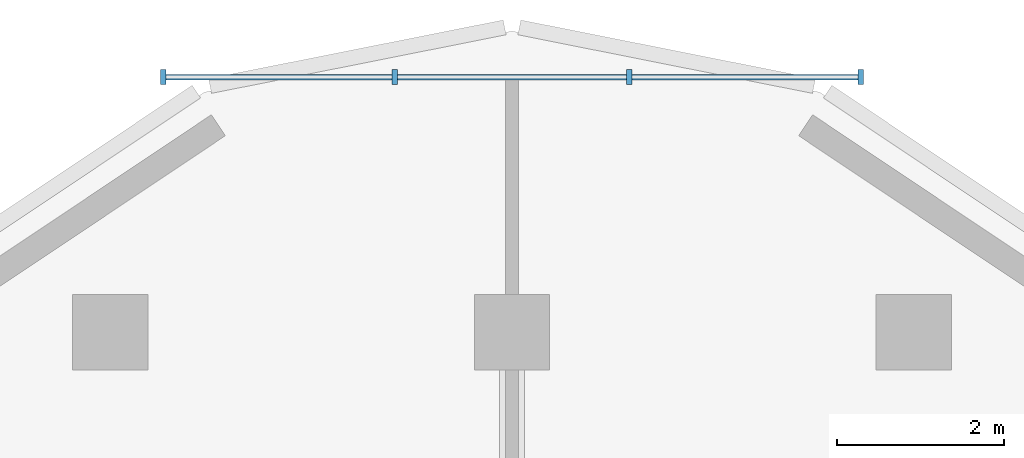
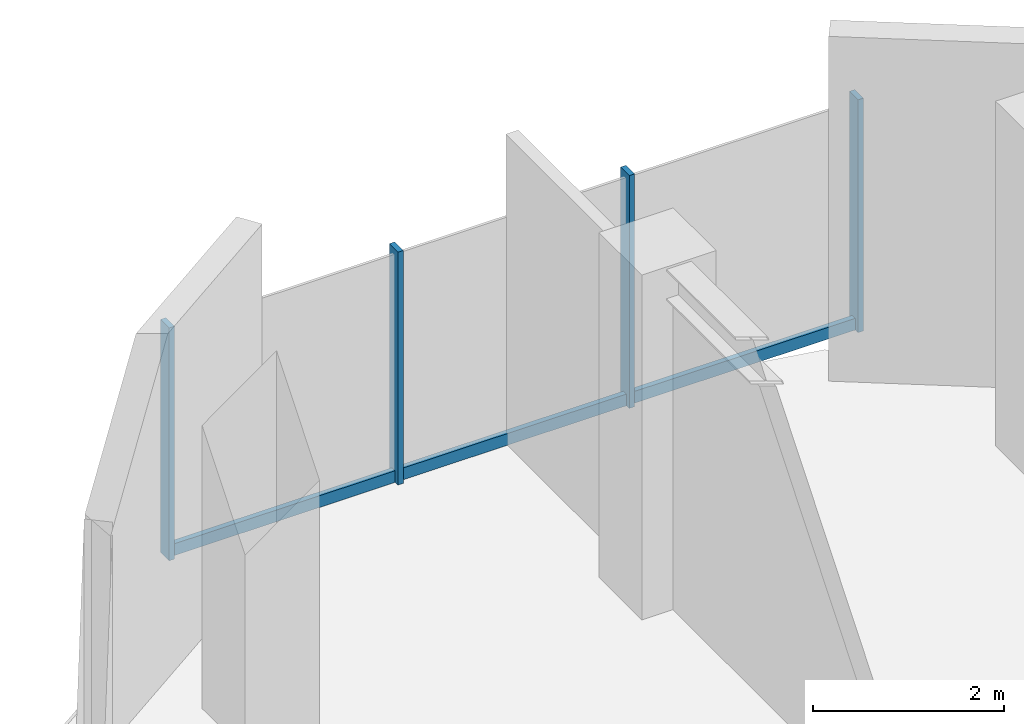
# One storey, part 4 of 11: 7 members, 1 element without a shape of its own.
"""IFC4 building model written with IfcOpenShell, lengths in metres."""

import ifcopenshell
import ifcopenshell.guid

model = None  # the IFC model being written
_history = None  # IfcOwnerHistory: only IFC2X3 demands one
_inside = {}  # id of a spatial element -> (the spatial element, [elements in it])
_under = {}  # id of a project, library or spatial element -> (it, [spatial elements below it])
_declared = {}  # id of a project -> (the project, [libraries it declares])
_typed = {}  # id of a type object -> (the type object, [elements of that type])
_made_of = {}  # id of a material, layer set ... -> (it, [elements and type objects made of it])


def new_model(schema):
    """Start an empty IFC model of exactly this schema.

    Asked for "IFC4X3", IfcOpenShell would pick the latest addendum, in which some entities
    have other attributes; the version numbers below select the first issue.
    IFC2X3 requires an IfcOwnerHistory on every rooted entity: one is made here for all.
    """
    global model, _history
    if schema == "IFC4X3":
        model = ifcopenshell.file(schema_version=(4, 3, 0, 0))
    else:
        model = ifcopenshell.file(schema=schema)
    _inside.clear()
    _under.clear()
    _declared.clear()
    _typed.clear()
    _made_of.clear()
    _history = None
    if model.schema == "IFC2X3":
        org = make("IfcOrganization", Name="unknown")
        user = make(
            "IfcPersonAndOrganization",
            ThePerson=make("IfcPerson", FamilyName="unknown"),
            TheOrganization=org,
        )
        app = make(
            "IfcApplication",
            ApplicationDeveloper=org,
            Version="unknown",
            ApplicationFullName="unknown",
            ApplicationIdentifier="unknown",
        )
        _history = make(
            "IfcOwnerHistory",
            OwningUser=user,
            OwningApplication=app,
            ChangeAction="ADDED",
            CreationDate=0,
        )
    return model


def make(cls, **values):
    """One entity of the class cls with the attributes given. An attribute that is None is left unset."""
    return model.create_entity(
        cls, **{name: value for name, value in values.items() if value is not None}
    )


def rooted(cls, **values):
    """An entity with a GlobalId (a new one), such as an element, a storey or a relation."""
    return make(cls, GlobalId=ifcopenshell.guid.new(), OwnerHistory=_history, **values)


def si_unit(unit_type, name, prefix=None):
    """IfcSIUnit, for example si_unit("LENGTHUNIT", "METRE", prefix="MILLI")."""
    return make("IfcSIUnit", UnitType=unit_type, Prefix=prefix, Name=name)


def assignment(units):
    """IfcUnitAssignment: the units of a project."""
    return None if units is None else make("IfcUnitAssignment", Units=units)


def point(xyz):
    """IfcCartesianPoint."""
    return None if xyz is None else make("IfcCartesianPoint", Coordinates=xyz)


def direction(xyz):
    """IfcDirection."""
    return None if xyz is None else make("IfcDirection", DirectionRatios=xyz)


def frame(location, z_axis=None, x_axis=None):
    """IfcAxis2Placement3D, a coordinate frame: its origin and axes. An axis left out is left unset."""
    return make(
        "IfcAxis2Placement3D",
        Location=point(location),
        Axis=direction(z_axis),
        RefDirection=direction(x_axis),
    )


def frame_2d(location, x_axis=None):
    """IfcAxis2Placement2D, a coordinate frame in the plane: its origin and x axis."""
    return make(
        "IfcAxis2Placement2D", Location=point(location), RefDirection=direction(x_axis)
    )


def origin():
    """The frame at (0, 0, 0) with its axes left unset."""
    return frame((0.0, 0.0, 0.0))


def origin_2d():
    """The frame at (0, 0) in the plane with its x axis left unset."""
    return frame_2d((0.0, 0.0))


def place(relative_to, where):
    """IfcLocalPlacement: puts the frame where relative to a parent placement (None: the world)."""
    return make(
        "IfcLocalPlacement", PlacementRelTo=relative_to, RelativePlacement=where
    )


def context(
    kind, dimensions, precision=None, world=None, true_north=None, identifier=None
):
    """IfcGeometricRepresentationContext, for example the 3D "Model" context."""
    return make(
        "IfcGeometricRepresentationContext",
        ContextIdentifier=identifier,
        ContextType=kind,
        CoordinateSpaceDimension=dimensions,
        Precision=precision,
        WorldCoordinateSystem=world,
        TrueNorth=true_north,
    )


def subcontext(parent, identifier, kind, view, scale=None):
    """IfcGeometricRepresentationSubContext, for example "Body" below "Model"."""
    return make(
        "IfcGeometricRepresentationSubContext",
        ContextIdentifier=identifier,
        ContextType=kind,
        ParentContext=parent,
        TargetScale=scale,
        TargetView=view,
    )


def project(units=None, contexts=None):
    """IfcProject with its units and contexts."""
    return rooted(
        "IfcProject",
        Name="project",
        RepresentationContexts=contexts,
        UnitsInContext=assignment(units),
    )


def spatial(cls, under=None, at=None, **own):
    """A site, building, storey or space (cls), placed at a placement, below another one or the project."""
    s = rooted(cls, ObjectPlacement=at, **own)
    if under is not None:
        _under.setdefault(under.id(), (under, []))[1].append(s)
    return s


def profile(cls, at=None, kind="AREA", **sizes):
    """A parametric profile (cls). Its sizes go by their IFC names, for example OverallWidth=200.0."""
    return make(cls, ProfileType=kind, Position=at, **sizes)


def rectangle(**sizes):
    """IfcRectangleProfileDef."""
    return profile("IfcRectangleProfileDef", **sizes)


def extrude(swept, where, along, depth):
    """IfcExtrudedAreaSolid: the profile swept, set in the frame where, extruded along a direction by depth."""
    return make(
        "IfcExtrudedAreaSolid",
        SweptArea=swept,
        Position=where,
        ExtrudedDirection=direction(along),
        Depth=depth,
    )


def shape(context_of_items, identifier, shape_type, items):
    """IfcShapeRepresentation: the items that make up one representation, for example the "Body"."""
    return make(
        "IfcShapeRepresentation",
        ContextOfItems=context_of_items,
        RepresentationIdentifier=identifier,
        RepresentationType=shape_type,
        Items=items,
    )


def source(mapping_origin, context_of_items, identifier, shape_type, items):
    """IfcRepresentationMap: a shape defined once, which mapped items show again and again."""
    return make(
        "IfcRepresentationMap",
        MappingOrigin=mapping_origin,
        MappedRepresentation=shape(context_of_items, identifier, shape_type, items),
    )


def transform(
    local_origin,
    x_axis=None,
    y_axis=None,
    z_axis=None,
    scale=None,
    scale2=None,
    scale3=None,
    uniform=True,
):
    """IfcCartesianTransformationOperator3D, or its non-uniform kind. x_axis, y_axis, z_axis: its Axis1, 2, 3."""
    if uniform:
        return make(
            "IfcCartesianTransformationOperator3D",
            Axis1=direction(x_axis),
            Axis2=direction(y_axis),
            LocalOrigin=point(local_origin),
            Scale=scale,
            Axis3=direction(z_axis),
        )
    return make(
        "IfcCartesianTransformationOperator3DnonUniform",
        Axis1=direction(x_axis),
        Axis2=direction(y_axis),
        LocalOrigin=point(local_origin),
        Scale=scale,
        Axis3=direction(z_axis),
        Scale2=scale2,
        Scale3=scale3,
    )


def mapped(mapping_source, mapping_target):
    """IfcMappedItem: shows the shape of a source again, moved by a transform."""
    return make(
        "IfcMappedItem", MappingSource=mapping_source, MappingTarget=mapping_target
    )


def material(Name=None, Category=None):
    """IfcMaterial."""
    return make("IfcMaterial", Name=Name, Category=Category)


def material_profile(
    of_material, cross_section, Name=None, Category=None, Priority=None
):
    """IfcMaterialProfile: a cross section and its material."""
    return make(
        "IfcMaterialProfile",
        Name=Name,
        Material=of_material,
        Profile=cross_section,
        Priority=Priority,
        Category=Category,
    )


def profile_set(profiles, Name=None, composite=None):
    """IfcMaterialProfileSet."""
    return make(
        "IfcMaterialProfileSet",
        Name=Name,
        MaterialProfiles=profiles,
        CompositeProfile=composite,
    )


def made_of(thing, what):
    """Note that an element or type object is made of a material, layer set ...; save() writes the relation."""
    if what is not None:
        _made_of.setdefault(what.id(), (what, []))[1].append(thing)
    return thing


def type_object(cls, material=None, **own):
    """A type object (cls), such as IfcWallType, which elements share."""
    return made_of(rooted(cls, **own), material)


def element(
    cls,
    number,
    at=None,
    inside=None,
    cuts=None,
    type_object=None,
    material=None,
    context=None,
    identifier="Body",
    shape_type=None,
    held_by="IfcProductDefinitionShape",
    body=None,
    shapes=None,
    **own,
):
    """One element of the class cls, such as IfcWall. Its Tag is "e" and its number.

    at: its placement. inside: the storey or other place that contains it. cuts: it is an
    opening in that element (IfcRelVoidsElement). A single representation is given by context,
    identifier, shape_type and body (its items); several are given by shapes. held_by: the class
    of the entity that holds the representations. save() writes the other relations.
    """
    e = rooted(cls, Tag="e%d" % number, ObjectPlacement=at, **own)
    if body is not None:
        shapes = [shape(context, identifier, shape_type, body)]
    if shapes is not None:
        e.Representation = make(held_by, Representations=shapes)
    if inside is not None:
        _inside.setdefault(inside.id(), (inside, []))[1].append(e)
    if cuts is not None:
        rooted(
            "IfcRelVoidsElement", RelatingBuildingElement=cuts, RelatedOpeningElement=e
        )
    if type_object is not None:
        _typed.setdefault(type_object.id(), (type_object, []))[1].append(e)
    return made_of(e, material)


def aggregate(whole, parts):
    """IfcRelAggregates: a whole, such as a stair, and the parts it consists of."""
    return rooted("IfcRelAggregates", RelatingObject=whole, RelatedObjects=parts)


def save(model, path):
    """Write the relations noted so far, then the file.

    IfcRelAggregates (storeys below a building ...), IfcRelContainedInSpatialStructure (elements
    in a storey), IfcRelDefinesByType, IfcRelAssociatesMaterial and IfcRelDeclares: one each for
    every whole, place, type object, material and project.
    """
    for whole, parts in _under.values():
        aggregate(whole, parts)
    for where, things in _inside.values():
        rooted(
            "IfcRelContainedInSpatialStructure",
            RelatedElements=things,
            RelatingStructure=where,
        )
    for kind, things in _typed.values():
        rooted("IfcRelDefinesByType", RelatedObjects=things, RelatingType=kind)
    for what, things in _made_of.values():
        rooted("IfcRelAssociatesMaterial", RelatedObjects=things, RelatingMaterial=what)
    for by, libraries in _declared.values():
        rooted("IfcRelDeclares", RelatingContext=by, RelatedDefinitions=libraries)
    model.write(path)


model = new_model("IFC4")

# Units and contexts
model_context = context("Model", 3, precision=1e-05, world=origin(), true_north=direction((0.0, 1.0)))
body_context = subcontext(model_context, "Body", "Model", "MODEL_VIEW")
ifc_project = project(units=[si_unit("LENGTHUNIT", "METRE"), si_unit("AREAUNIT", "SQUARE_METRE"), si_unit("VOLUMEUNIT", "CUBIC_METRE"), si_unit("PLANEANGLEUNIT", "RADIAN"), si_unit("MASSUNIT", "GRAM", prefix="KILO")], contexts=[model_context])

# Site, building, storey
site_placement = place(None, origin())
site = spatial("IfcSite", under=ifc_project, at=site_placement, CompositionType="ELEMENT")
building_placement = place(site_placement, origin())
building = spatial("IfcBuilding", under=site, at=building_placement, Name="Keilestroom Media Tower", CompositionType="ELEMENT")
storey_placement = place(building_placement, frame((0.0, 0.0, 214.800048828125)))
storey = spatial("IfcBuildingStorey", under=building, at=storey_placement, Name="L59", CompositionType="ELEMENT", Elevation=214.800048828125)

# Curtain wall, members
ifc_material = material(Name="Anodised Aluminium Alloy", Category="aluminium")
curtain_wall_type = type_object("IfcCurtainWallType", Name="Unitised-Curtain-Wall-CW-6", PredefinedType="NOTDEFINED", material=ifc_material)
curtain_wall_placement = place(storey_placement, origin())
curtain_wall = element("IfcCurtainWall", 1, at=curtain_wall_placement, inside=storey, type_object=curtain_wall_type, Name="L59 Curtain Wall CW-6 CW-L59-N", PredefinedType="NOTDEFINED")
ifc_material_profile_1 = material_profile(ifc_material, rectangle(XDim=0.06494140625, YDim=0.14990234375, at=origin_2d()), Name="ALU TRANSOM 65x150")
ifc_profile_set_1 = profile_set([ifc_material_profile_1], Name="Anodised Aluminium Alloy")
member_type_1 = type_object("IfcMemberType", Name="Curtain-Wall-Transom-CW-6", PredefinedType="USERDEFINED", material=ifc_profile_set_1)
shared_shape_1 = source(origin(), body_context, "Body", "SweptSolid", [
    extrude(rectangle(XDim=0.06494140625, YDim=0.14990234375, at=origin_2d()), origin(), (0.0, 0.0, 1.0), 2.70654296875),
])
member_1_placement = place(storey_placement, frame((-4.136962890625, 24.64990234375, 0.074951171875), z_axis=(1.0, 0.0, 0.0), x_axis=(0.0, 1.0, 0.0)))
member_1 = element("IfcMember", 2, at=member_1_placement, type_object=member_type_1, Name="CW-6 Transom 00.1", ObjectType="TRANSOM", PredefinedType="USERDEFINED", context=body_context, shape_type="MappedRepresentation", body=[
    mapped(shared_shape_1, transform((0.0, 0.0, 0.0), x_axis=(1.0, 0.0, 0.0), y_axis=(0.0, 1.0, 0.0), z_axis=(0.0, 0.0, 1.0), scale=1.0)),
])
member_2_placement = place(storey_placement, frame((1.430419921875, 24.64990234375, 0.074951171875), z_axis=(1.0, 0.0, 0.0), x_axis=(0.0, 1.0, 0.0)))
member_2 = element("IfcMember", 3, at=member_2_placement, type_object=member_type_1, Name="CW-6 Transom 02.1", ObjectType="TRANSOM", PredefinedType="USERDEFINED", context=body_context, shape_type="MappedRepresentation", body=[
    mapped(shared_shape_1, transform((0.0, 0.0, 0.0), x_axis=(1.0, 0.0, 0.0), y_axis=(0.0, 1.0, 0.0), z_axis=(0.0, 0.0, 1.0), scale=1.0)),
])
shared_shape_2 = source(origin(), body_context, "Body", "SweptSolid", [
    extrude(rectangle(XDim=0.06494140625, YDim=0.14990234375, at=origin_2d()), origin(), (0.0, 0.0, 1.0), 2.73876953125),
])
member_3_placement = place(storey_placement, frame((-1.369384765625, 24.64990234375, 0.074951171875), z_axis=(1.0, 0.0, 0.0), x_axis=(0.0, 1.0, 0.0)))
member_3 = element("IfcMember", 4, at=member_3_placement, type_object=member_type_1, Name="CW-6 Transom 01.1", ObjectType="TRANSOM", PredefinedType="USERDEFINED", context=body_context, shape_type="MappedRepresentation", body=[
    mapped(shared_shape_2, transform((0.0, 0.0, 0.0), x_axis=(1.0, 0.0, 0.0), y_axis=(0.0, 1.0, 0.0), z_axis=(0.0, 0.0, 1.0), scale=1.0)),
])
ifc_material_profile_2 = material_profile(ifc_material, rectangle(XDim=0.06494140625, YDim=0.179931640625, at=origin_2d()), Name="ALU MULLION 65x180")
ifc_profile_set_2 = profile_set([ifc_material_profile_2], Name="Anodised Aluminium Alloy")
member_type_2 = type_object("IfcMemberType", Name="Curtain-Wall-Mullion-CW-6", PredefinedType="MULLION", material=ifc_profile_set_2)
shared_shape_3 = source(origin(), body_context, "Body", "SweptSolid", [
    extrude(rectangle(XDim=0.06494140625, YDim=0.179931640625, at=origin_2d()), origin(), (0.0, 0.0, 1.0), 2.97998046875),
])
member_4_placement = place(storey_placement, frame((-4.16748046875, 24.64990234375, 0.0), z_axis=(0.0, 0.0, 1.0), x_axis=(1.0, 0.0, 0.0)))
member_4 = element("IfcMember", 5, at=member_4_placement, type_object=member_type_2, Name="CW-6 Mullion 00", PredefinedType="MULLION", context=body_context, shape_type="MappedRepresentation", body=[
    mapped(shared_shape_3, transform((0.0, 0.0, 0.0), x_axis=(1.0, 0.0, 0.0), y_axis=(0.0, 1.0, 0.0), z_axis=(0.0, 0.0, 1.0), scale=1.0)),
])
member_5_placement = place(storey_placement, frame((-1.39990234375, 24.64990234375, 0.0), z_axis=(0.0, 0.0, 1.0), x_axis=(1.0, 0.0, 0.0)))
member_5 = element("IfcMember", 6, at=member_5_placement, type_object=member_type_2, Name="CW-6 Mullion 01", PredefinedType="MULLION", context=body_context, shape_type="MappedRepresentation", body=[
    mapped(shared_shape_3, transform((0.0, 0.0, 0.0), x_axis=(1.0, 0.0, 0.0), y_axis=(0.0, 1.0, 0.0), z_axis=(0.0, 0.0, 1.0), scale=1.0)),
])
member_6_placement = place(storey_placement, frame((1.39990234375, 24.64990234375, 0.0), z_axis=(0.0, 0.0, 1.0), x_axis=(1.0, 0.0, 0.0)))
member_6 = element("IfcMember", 7, at=member_6_placement, type_object=member_type_2, Name="CW-6 Mullion 02", PredefinedType="MULLION", context=body_context, shape_type="MappedRepresentation", body=[
    mapped(shared_shape_3, transform((0.0, 0.0, 0.0), x_axis=(1.0, 0.0, 0.0), y_axis=(0.0, 1.0, 0.0), z_axis=(0.0, 0.0, 1.0), scale=1.0)),
])
member_7_placement = place(storey_placement, frame((4.16748046875, 24.64990234375, 0.0), z_axis=(0.0, 0.0, 1.0), x_axis=(1.0, 0.0, 0.0)))
member_7 = element("IfcMember", 8, at=member_7_placement, type_object=member_type_2, Name="CW-6 Mullion 03", PredefinedType="MULLION", context=body_context, shape_type="MappedRepresentation", body=[
    mapped(shared_shape_3, transform((0.0, 0.0, 0.0), x_axis=(1.0, 0.0, 0.0), y_axis=(0.0, 1.0, 0.0), z_axis=(0.0, 0.0, 1.0), scale=1.0)),
])
aggregate(curtain_wall, [member_4, member_5, member_6, member_7, member_1, member_3, member_2])

save(model, "model.ifc")
